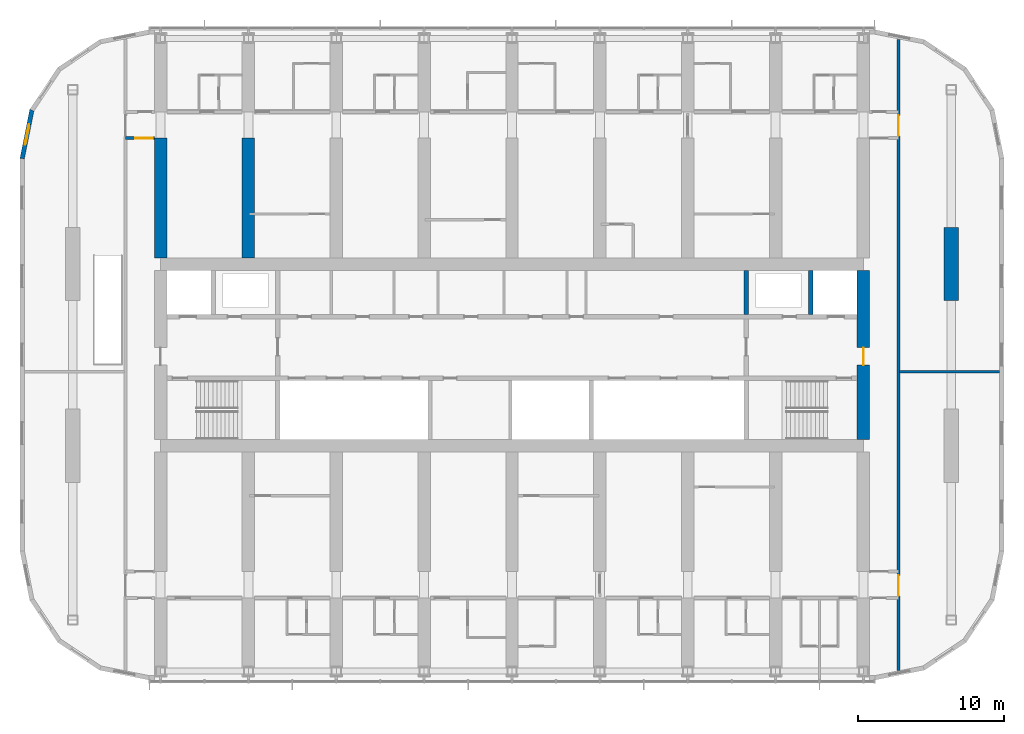
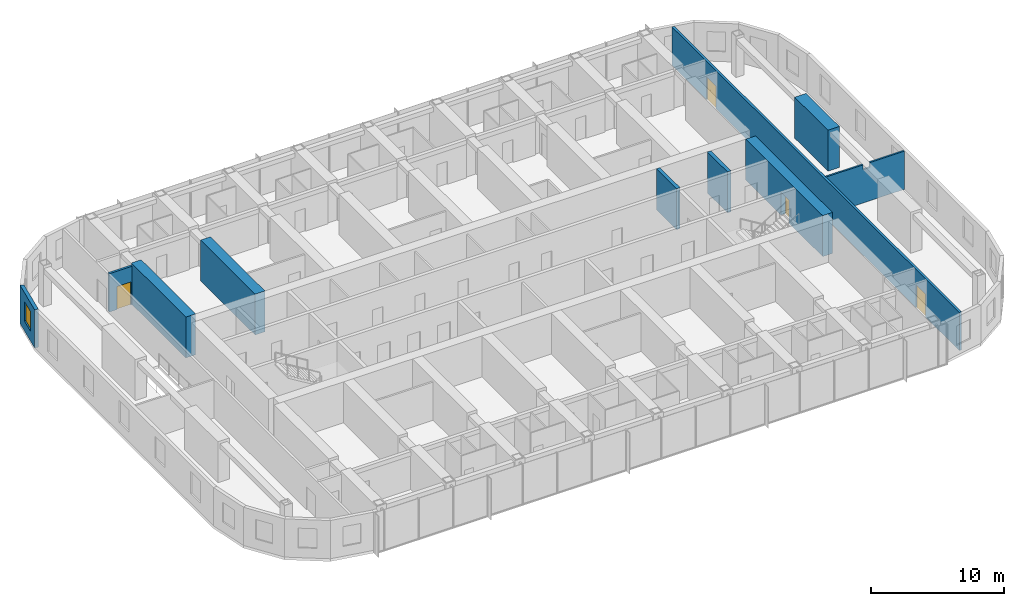
# One storey, part 14 of 22: 10 walls, 4 doors, 1 window, 5 openings.
"""IFC4 building model written with IfcOpenShell, lengths in metres."""

from ifc_helpers import new_model, si_unit, direction, frame, frame_2d, origin, place, context, subcontext, project, spatial, polyline, rectangle, outline, extrude, material, layer, layer_set, type_object, element, fill, save


model = new_model("IFC4")

# Units and contexts
model_context = context("Model", 3, precision=1e-05, world=origin(), true_north=direction((0.0, 1.0)))
body_context = subcontext(model_context, "Body", "Model", "MODEL_VIEW")
ifc_project = project(units=[si_unit("LENGTHUNIT", "METRE"), si_unit("AREAUNIT", "SQUARE_METRE"), si_unit("VOLUMEUNIT", "CUBIC_METRE"), si_unit("PLANEANGLEUNIT", "RADIAN"), si_unit("MASSUNIT", "GRAM", prefix="KILO")], contexts=[model_context])

# Site, building, storey
site_placement = place(None, origin())
site = spatial("IfcSite", under=ifc_project, at=site_placement, CompositionType="ELEMENT")
building_placement = place(site_placement, origin())
building = spatial("IfcBuilding", under=site, at=building_placement, Name="Orbita Commons", CompositionType="ELEMENT")
storey_placement = place(building_placement, frame((0.0, 0.0, 182.35009765625)))
storey = spatial("IfcBuildingStorey", under=building, at=storey_placement, Name="L45", CompositionType="ELEMENT", Elevation=182.35009765625)

# Walls
ifc_material_1 = material(Name="Concrete C50/60", Category="concrete")
ifc_layer_1 = layer(ifc_material_1, 0.300048828125)
ifc_layer_set_1 = layer_set([ifc_layer_1], Name="Concrete C50/60")
wall_type_1 = type_object("IfcWallType", Name="Core inner wall 300 C50/60", PredefinedType="SHEAR", material=ifc_layer_set_1)
for number, where, z_axis, x_axis, name in (
    (1, (62.39990234375, 34.75, 0.0), (0.0, 0.0, 1.0), (0.0, 1.0, 0.0), "Firefighting lift FL2 shaft wall L45"),
    (2, (58.0, 34.75, 0.0), (0.0, 0.0, 1.0), (0.0, 1.0, 0.0), "Riser wall east L45"),
):
    element("IfcWall", number, at=place(storey_placement, frame(where, z_axis=z_axis, x_axis=x_axis)), inside=storey, type_object=wall_type_1, Name=name, PredefinedType="SHEAR", context=body_context, shape_type="SweptSolid", body=[
        extrude(rectangle(XDim=3.02490234375, YDim=0.300048828125, at=frame_2d((1.512451171875, 0.0))), origin(), (0.0, 0.0, 1.0), 3.75),
    ])

# Wall, opening, door
ifc_material_2 = material(Name="Concrete C50/60", Category="concrete")
ifc_layer_2 = layer(ifc_material_2, 0.85009765625)
ifc_layer_set_2 = layer_set([ifc_layer_2], Name="Concrete C50/60")
wall_type_2 = type_object("IfcWallType", Name="Core wall 850 C50/60", PredefinedType="SHEAR", material=ifc_layer_set_2)
wall_1_placement = place(storey_placement, frame((66.0, 26.22509765625, 0.0), z_axis=(0.0, 0.0, 1.0), x_axis=(0.0, 1.0, 0.0)))
wall_1 = element("IfcWall", 3, at=wall_1_placement, inside=storey, type_object=wall_type_2, Name="Core end wall east L45", PredefinedType="SHEAR", context=body_context, shape_type="SweptSolid", body=[
    extrude(rectangle(XDim=11.5498046875, YDim=0.85009765625, at=frame_2d((5.77490234375, 0.0))), origin(), (0.0, 0.0, 1.0), 3.75),
])
opening_1_placement = place(wall_1_placement, frame((5.074951171875, 0.0, 0.0)))
opening_1 = element("IfcOpeningElement", 4, at=opening_1_placement, cuts=wall_1, Name="Opening D01", PredefinedType="OPENING", context=body_context, shape_type="SweptSolid", body=[
    extrude(rectangle(XDim=1.199951171875, YDim=2.10009765625, at=frame_2d((0.60009765625, 1.050048828125))), frame((0.0, 0.43505859375, 0.0), z_axis=(0.0, -1.0, 0.0), x_axis=(1.0, 0.0, 0.0)), (0.0, 0.0, 1.0), 0.8701171875),
])
ifc_material_3 = material(Name="Steel-faced fire door leaf", Category="steel")
door_type_1 = type_object("IfcDoorType", Name="Fire door 90 min 1200x2100", OperationType="SINGLE_SWING_LEFT", PredefinedType="DOOR", material=ifc_material_3)
door_1_placement = place(opening_1_placement, origin())
door_1 = element("IfcDoor", 5, at=door_1_placement, inside=storey, type_object=door_type_1, Name="Firefighting lobby east door", OperationType="SINGLE_SWING_LEFT", OverallHeight=2.10009765625, OverallWidth=1.199951171875, PredefinedType="DOOR", context=body_context, shape_type="SweptSolid", body=[
    extrude(rectangle(XDim=1.199951171875, YDim=2.10009765625, at=frame_2d((0.60009765625, 1.050048828125))), frame((0.0, 0.02490234375, 0.0), z_axis=(0.0, -1.0, 0.0), x_axis=(1.0, 0.0, 0.0)), (0.0, 0.0, 1.0), 0.050048828125),
])
fill(opening_1, door_1)

# Wall, openings, doors
ifc_material_4 = material(Name="Concrete blockwork", Category="masonry")
ifc_layer_3 = layer(ifc_material_4, 0.199951171875)
ifc_layer_set_3 = layer_set([ifc_layer_3], Name="Concrete blockwork")
wall_type_3 = type_object("IfcWallType", Name="Corridor wall 200 blockwork", PredefinedType="SOLIDWALL", material=ifc_layer_set_3)
wall_2_placement = place(storey_placement, frame((68.39990234375, 10.4462890625, 0.0), z_axis=(0.0, 0.0, 1.0), x_axis=(0.0, 1.0, 0.0)))
wall_2 = element("IfcWall", 6, at=wall_2_placement, inside=storey, type_object=wall_type_3, Name="Corridor wall 200 blockwork L45", PredefinedType="SOLIDWALL", context=body_context, shape_type="SweptSolid", body=[
    extrude(rectangle(XDim=43.107421875, YDim=0.199951171875, at=frame_2d((21.5537109375, 0.0))), origin(), (0.0, 0.0, 1.0), 3.5),
])
opening_2_placement = place(wall_2_placement, frame((5.103759765625, 0.0, 0.0)))
opening_2 = element("IfcOpeningElement", 7, at=opening_2_placement, cuts=wall_2, Name="Opening D08", PredefinedType="OPENING", context=body_context, shape_type="SweptSolid", body=[
    extrude(rectangle(XDim=1.39990234375, YDim=2.10009765625, at=frame_2d((0.699951171875, 1.050048828125))), frame((0.0, 0.10986328125, 0.0), z_axis=(0.0, -1.0, 0.0), x_axis=(1.0, 0.0, 0.0)), (0.0, 0.0, 1.0), 0.219970703125),
])
opening_3_placement = place(wall_2_placement, frame((36.50390625, 0.0, 0.0)))
opening_3 = element("IfcOpeningElement", 8, at=opening_3_placement, cuts=wall_2, Name="Opening D08", PredefinedType="OPENING", context=body_context, shape_type="SweptSolid", body=[
    extrude(rectangle(XDim=1.39990234375, YDim=2.10009765625, at=frame_2d((0.699951171875, 1.050048828125))), frame((0.0, 0.10986328125, 0.0), z_axis=(0.0, -1.0, 0.0), x_axis=(1.0, 0.0, 0.0)), (0.0, 0.0, 1.0), 0.219970703125),
])
ifc_material_5 = material(Name="Steel-faced fire door leaf", Category="steel")
door_type_2 = type_object("IfcDoorType", Name="Double corridor door 20 min 1400x2100", OperationType="DOUBLE_DOOR_SINGLE_SWING", PredefinedType="DOOR", material=ifc_material_5)
door_2_placement = place(opening_2_placement, origin())
door_2 = element("IfcDoor", 9, at=door_2_placement, inside=storey, type_object=door_type_2, Name="Lounge doors", OperationType="DOUBLE_DOOR_SINGLE_SWING", OverallHeight=2.10009765625, OverallWidth=1.39990234375, PredefinedType="DOOR", context=body_context, shape_type="SweptSolid", body=[
    extrude(rectangle(XDim=1.39990234375, YDim=2.10009765625, at=frame_2d((0.699951171875, 1.050048828125))), frame((0.0, 0.02490234375, 0.0), z_axis=(0.0, -1.0, 0.0), x_axis=(1.0, 0.0, 0.0)), (0.0, 0.0, 1.0), 0.050048828125),
])
fill(opening_2, door_2)
door_3_placement = place(opening_3_placement, origin())
door_3 = element("IfcDoor", 10, at=door_3_placement, inside=storey, type_object=door_type_2, Name="Lounge doors", OperationType="DOUBLE_DOOR_SINGLE_SWING", OverallHeight=2.10009765625, OverallWidth=1.39990234375, PredefinedType="DOOR", context=body_context, shape_type="SweptSolid", body=[
    extrude(rectangle(XDim=1.39990234375, YDim=2.10009765625, at=frame_2d((0.699951171875, 1.050048828125))), frame((0.0, 0.02490234375, 0.0), z_axis=(0.0, -1.0, 0.0), x_axis=(1.0, 0.0, 0.0)), (0.0, 0.0, 1.0), 0.050048828125),
])
fill(opening_3, door_3)

# Wall, opening, door
ifc_material_6 = material(Name="Hollow concrete block 200", Category="concrete")
ifc_layer_4 = layer(ifc_material_6, 0.199951171875)
ifc_layer_set_4 = layer_set([ifc_layer_4], Name="Hollow concrete block 200")
wall_type_4 = type_object("IfcWallType", Name="Corridor wall 200 hollow concrete block", PredefinedType="SOLIDWALL", material=ifc_layer_set_4)
wall_3_placement = place(storey_placement, frame((15.60009765625, 46.800048828125, 0.0), z_axis=(0.0, 0.0, 1.0), x_axis=(1.0, 0.0, 0.0)))
wall_3 = element("IfcWall", 11, at=wall_3_placement, inside=storey, type_object=wall_type_4, Name="Corridor wall 200 hollow concrete block L45", PredefinedType="SOLIDWALL", context=body_context, shape_type="SweptSolid", body=[
    extrude(rectangle(XDim=1.974853515625, YDim=0.199951171875, at=frame_2d((0.9873046875, 0.0))), origin(), (0.0, 0.0, 1.0), 3.5),
])
opening_4_placement = place(wall_3_placement, frame((0.675048828125, 0.0, 0.0)))
opening_4 = element("IfcOpeningElement", 12, at=opening_4_placement, cuts=wall_3, Name="Opening D12", PredefinedType="OPENING", context=body_context, shape_type="SweptSolid", body=[
    extrude(rectangle(XDim=1.199951171875, YDim=2.10009765625, at=frame_2d((0.60009765625, 1.050048828125))), frame((0.0, 0.10986328125, 0.0), z_axis=(0.0, -1.0, 0.0), x_axis=(1.0, 0.0, 0.0)), (0.0, 0.0, 1.0), 0.219970703125),
])
ifc_material_7 = material(Name="Steel-faced fire door leaf", Category="steel")
door_type_3 = type_object("IfcDoorType", Name="Double corridor door 20 min 1200x2100", OperationType="DOUBLE_DOOR_SINGLE_SWING", PredefinedType="DOOR", material=ifc_material_7)
door_4_placement = place(opening_4_placement, origin())
door_4 = element("IfcDoor", 13, at=door_4_placement, inside=storey, type_object=door_type_3, Name="Cross corridor doors", OperationType="DOUBLE_DOOR_SINGLE_SWING", OverallHeight=2.10009765625, OverallWidth=1.199951171875, PredefinedType="DOOR", context=body_context, shape_type="SweptSolid", body=[
    extrude(rectangle(XDim=1.199951171875, YDim=2.10009765625, at=frame_2d((0.60009765625, 1.050048828125))), frame((0.0, 0.02490234375, 0.0), z_axis=(0.0, -1.0, 0.0), x_axis=(1.0, 0.0, 0.0)), (0.0, 0.0, 1.0), 0.050048828125),
])
fill(opening_4, door_4)

# Walls
ifc_material_8 = material(Name="Concrete C50/60", Category="concrete")
ifc_layer_5 = layer(ifc_material_8, 0.85009765625)
ifc_layer_set_5 = layer_set([ifc_layer_5], Name="Concrete C50/60")
wall_type_5 = type_object("IfcWallType", Name="Cross wall 850 C50/60", PredefinedType="SHEAR", material=ifc_layer_set_5)
for number, where, z_axis, x_axis, name in (
    (14, (18.0, 38.625, 0.0), (0.0, 0.0, 1.0), (0.0, 1.0, 0.0), "Cross wall 4 north inner L45"),
    (15, (24.0, 38.625, 0.0), (0.0, 0.0, 1.0), (0.0, 1.0, 0.0), "Cross wall 5 north inner L45"),
):
    element("IfcWall", number, at=place(storey_placement, frame(where, z_axis=z_axis, x_axis=x_axis)), inside=storey, type_object=wall_type_5, Name=name, PredefinedType="SHEAR", context=body_context, shape_type="SweptSolid", body=[
        extrude(rectangle(XDim=8.175048828125, YDim=0.85009765625, at=frame_2d((4.08740234375, 0.0))), origin(), (0.0, 0.0, 1.0), 3.75),
    ])
ifc_material_9 = material(Name="Concrete C50/60", Category="concrete")
ifc_layer_6 = layer(ifc_material_9, 1.0)
ifc_layer_set_6 = layer_set([ifc_layer_6], Name="Concrete C50/60")
wall_type_6 = type_object("IfcWallType", Name="End pier 1000x5000 C50/60", PredefinedType="SHEAR", material=ifc_layer_set_6)
wall_4_placement = place(storey_placement, frame((72.0, 35.699951171875, 0.0), z_axis=(0.0, 0.0, 1.0), x_axis=(0.0, 1.0, 0.0)))
element("IfcWall", 16, at=wall_4_placement, inside=storey, type_object=wall_type_6, Name="End pier 13/D L45", PredefinedType="SHEAR", context=body_context, shape_type="SweptSolid", body=[
    extrude(rectangle(XDim=5.0, YDim=1.0, at=frame_2d((2.5, 0.0))), origin(), (0.0, 0.0, 1.0), 3.75),
])
ifc_material_10 = material(Name="Gypsum plasterboard on steel studs", Category="steel")
ifc_layer_7 = layer(ifc_material_10, 0.14990234375)
ifc_layer_set_7 = layer_set([ifc_layer_7], Name="Gypsum plasterboard on steel studs")
wall_type_7 = type_object("IfcWallType", Name="Partition 150 plasterboard", PredefinedType="PARTITIONING", material=ifc_layer_set_7)
wall_5_placement = place(storey_placement, frame((68.47509765625, 30.85009765625, 0.0), z_axis=(0.0, 0.0, 1.0), x_axis=(1.0, 0.0, 0.0)))
element("IfcWall", 17, at=wall_5_placement, inside=storey, type_object=wall_type_7, Name="Partition 150 plasterboard L45", PredefinedType="PARTITIONING", context=body_context, shape_type="SweptSolid", body=[
    extrude(outline(polyline([(0.0, 0.0), (6.81982421875, 0.0), (6.820068359375, 3.5), (3.826904296875, 3.5), (3.824951171875, 3.0498046875), (3.22705078125, 3.0498046875), (3.22509765625, 3.5), (0.0, 3.5), (0.0, 0.0)])), frame((0.0, 0.074951171875, 0.0), z_axis=(0.0, -1.0, 0.0), x_axis=(1.0, 0.0, 0.0)), (0.0, 0.0, 1.0), 0.14990234375),
])

# Wall, opening, window
ifc_material_11 = material(Name="Precast concrete C40/50, white board-marked finish", Category="concrete")
ifc_layer_8 = layer(ifc_material_11, 0.300048828125)
ifc_layer_set_8 = layer_set([ifc_layer_8], Name="Precast concrete C40/50, white board-marked finish")
wall_type_8 = type_object("IfcWallType", Name="Precast concrete end shield 300", PredefinedType="SOLIDWALL", material=ifc_layer_set_8)
wall_6_placement = place(storey_placement, frame((9.20849609375, 48.710205078125, 0.0), z_axis=(0.0, 0.0, 1.0), x_axis=(-0.19508664885, -0.980786011034, 0.0)))
wall_6 = element("IfcWall", 18, at=wall_6_placement, inside=storey, type_object=wall_type_8, Name="End shield NW chord 4 L45", PredefinedType="SOLIDWALL", context=body_context, shape_type="SweptSolid", body=[
    extrude(outline(polyline([(-0.02978515625, -0.14990234375), (3.39013671875, -0.14990234375), (3.3603515625, 0.14990234375), (0.02978515625, 0.14990234375), (-0.02978515625, -0.14990234375)])), origin(), (0.0, 0.0, 1.0), 3.5),
])
opening_5_placement = place(wall_6_placement, frame((0.987548828125, 0.0, 0.89990234375)))
opening_5 = element("IfcOpeningElement", 19, at=opening_5_placement, cuts=wall_6, Name="Opening W02", PredefinedType="OPENING", context=body_context, shape_type="SweptSolid", body=[
    extrude(rectangle(XDim=1.39990234375, YDim=1.800048828125, at=frame_2d((0.699951171875, 0.89990234375))), frame((0.0, 0.159912109375, 0.0), z_axis=(0.0, -1.0, 0.0), x_axis=(1.0, 0.0, 0.0)), (0.0, 0.0, 1.0), 0.320068359375),
])
ifc_material_12 = material(Name="Aluminium frame, clear double glazing", Category="aluminium")
window_type = type_object("IfcWindowType", Name="Deep-set window 1400x1800", PartitioningType="SINGLE_PANEL", PredefinedType="WINDOW", material=ifc_material_12)
window_placement = place(opening_5_placement, origin())
window = element("IfcWindow", 20, at=window_placement, inside=storey, type_object=window_type, Name="Window L45-NW3", OverallHeight=1.800048828125, OverallWidth=1.39990234375, PartitioningType="SINGLE_PANEL", PredefinedType="WINDOW", context=body_context, shape_type="SweptSolid", body=[
    extrude(rectangle(XDim=1.39990234375, YDim=1.800048828125, at=frame_2d((0.699951171875, 0.89990234375))), frame((0.0, 0.030029296875, 0.0), z_axis=(0.0, -1.0, 0.0), x_axis=(1.0, 0.0, 0.0)), (0.0, 0.0, 1.0), 0.06005859375),
])
fill(opening_5, window)

save(model, "model.ifc")
